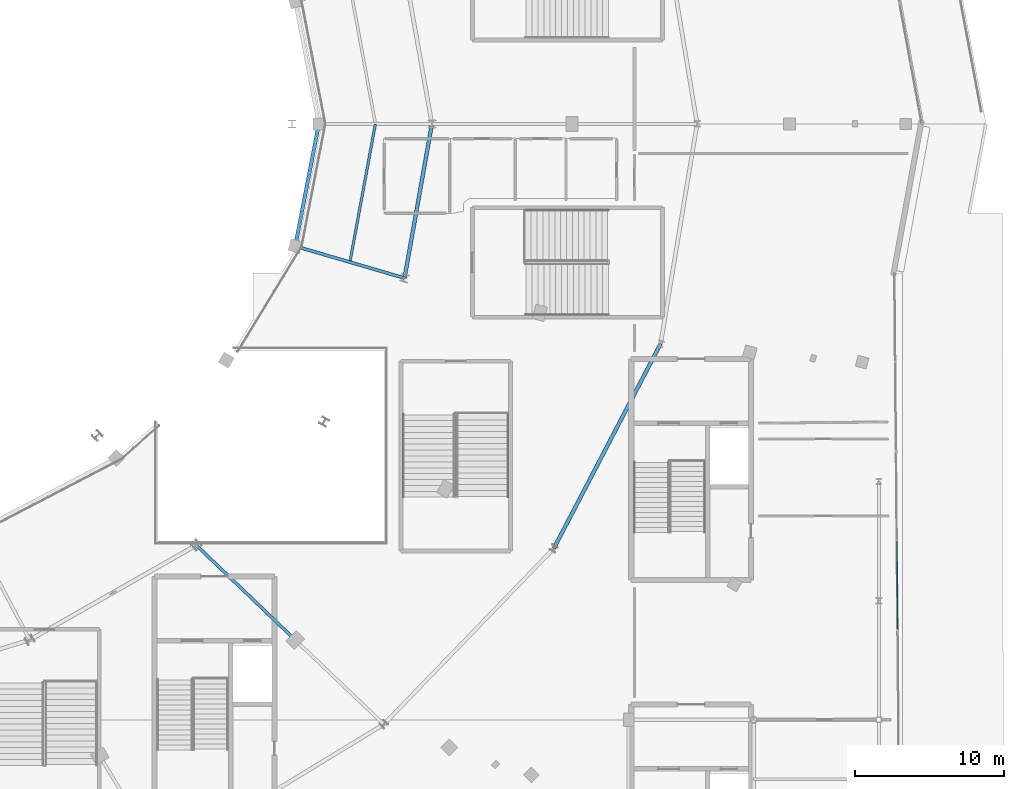
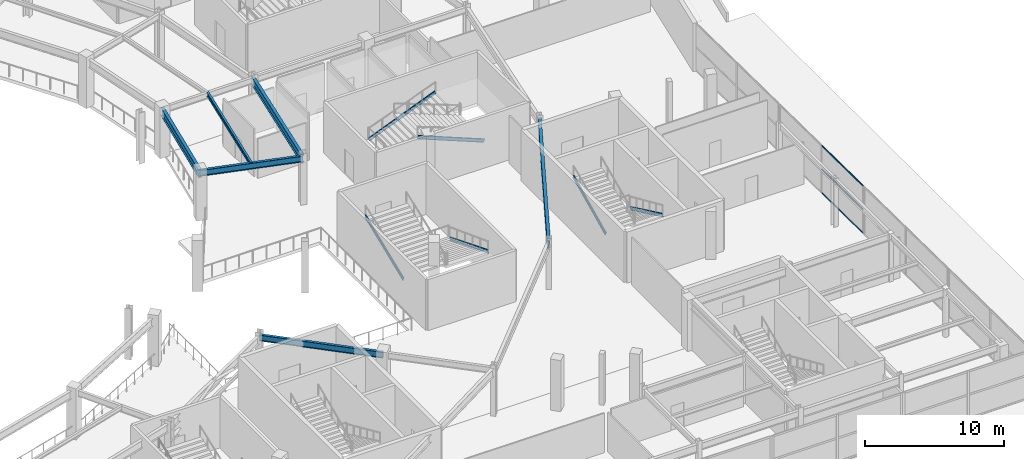
# One storey, part 49 of 107: 9 members, 6 beams, 1 element without a shape of its own.
"""IFC4 building model written with IfcOpenShell, lengths in metres."""

from ifc_helpers import new_model, si_unit, direction, frame, origin, origin_2d, place, context, subcontext, project, spatial, hollow_rectangle, i_section, extrude, material, layer, layer_set, material_profile, profile_set, type_object, element, aggregate, save


model = new_model("IFC4")

# Units and contexts
model_context = context("Model", 3, precision=1e-05, world=origin(), true_north=direction((0.0, 1.0)))
body_context = subcontext(model_context, "Body", "Model", "MODEL_VIEW")
ifc_project = project(units=[si_unit("LENGTHUNIT", "METRE"), si_unit("AREAUNIT", "SQUARE_METRE"), si_unit("VOLUMEUNIT", "CUBIC_METRE"), si_unit("PLANEANGLEUNIT", "RADIAN"), si_unit("MASSUNIT", "GRAM", prefix="KILO")], contexts=[model_context])

# Site, building, storey
site_placement = place(None, origin())
site = spatial("IfcSite", under=ifc_project, at=site_placement, CompositionType="ELEMENT")
building_placement = place(site_placement, origin())
building = spatial("IfcBuilding", under=site, at=building_placement, Name="Kalgoora Escarpment Arena", CompositionType="ELEMENT")
storey_placement = place(building_placement, frame((0.0, 0.0, 5.39990234375)))
storey = spatial("IfcBuildingStorey", under=building, at=storey_placement, Name="L01", CompositionType="ELEMENT", Elevation=5.39990234375)

# Beams
ifc_material_1 = material(Name="Structural steel AS/NZS 3679 (300 MPa)", Category="steel")
ifc_material_profile_1 = material_profile(ifc_material_1, i_section(OverallWidth=0.1708984375, OverallDepth=0.35205078125, WebThickness=0.0068359375, FlangeThickness=0.009765625, at=origin_2d()))
ifc_profile_set_1 = profile_set([ifc_material_profile_1], Name="Structural steel AS/NZS 3679 (300 MPa)")
beam_type_1 = type_object("IfcBeamType", Name="BM-BEAM-360UB44.7", PredefinedType="BEAM", material=ifc_profile_set_1)
beam_1_placement = place(storey_placement, frame((140.894287109375, 54.71875, 4.024169921875), z_axis=(0.181263825147, 0.983434505035, 0.0), x_axis=(-0.983434505035, 0.181263825147, 0.0)))
element("IfcBeam", 1, at=beam_1_placement, inside=storey, type_object=beam_type_1, Name="L01 Concourse secondary ring beam 360UB44.7", PredefinedType="BEAM", context=body_context, shape_type="SweptSolid", body=[
    extrude(i_section(OverallWidth=0.1708984375, OverallDepth=0.35205078125, WebThickness=0.0068359375, FlangeThickness=0.009765625, at=origin_2d()), origin(), (0.0, 0.0, 1.0), 9.4375),
])
ifc_material_2 = material(Name="Structural steel AS/NZS 3679 (300 MPa)", Category="steel")
ifc_material_profile_2 = material_profile(ifc_material_2, i_section(OverallWidth=0.208984375, OverallDepth=0.532958984375, WebThickness=0.01025390625, FlangeThickness=0.015625, at=origin_2d()))
ifc_profile_set_2 = profile_set([ifc_material_profile_2], Name="Structural steel AS/NZS 3679 (300 MPa)")
beam_type_2 = type_object("IfcBeamType", Name="BM-GIRDER-530UB92.4", PredefinedType="USERDEFINED", material=ifc_profile_set_2)
beam_2_placement = place(storey_placement, frame((130.583740234375, 35.7158203125, 3.93359375), z_axis=(0.722313931554, -0.691565314546, 0.0), x_axis=(0.691565314546, 0.722313931554, 0.0)))
element("IfcBeam", 2, at=beam_2_placement, inside=storey, type_object=beam_type_2, Name="L01 Radial concourse girder 530UB92.4", ObjectType="GIRDER", PredefinedType="USERDEFINED", context=body_context, shape_type="SweptSolid", body=[
    extrude(i_section(OverallWidth=0.208984375, OverallDepth=0.532958984375, WebThickness=0.01025390625, FlangeThickness=0.015625, at=origin_2d()), origin(), (0.0, 0.0, 1.0), 9.202392578125),
])
beam_3_placement = place(storey_placement, frame((137.228515625, 55.790283203125, 3.93359375), z_axis=(0.959834445675, -0.280566991813, 0.0), x_axis=(0.280566991813, 0.959834445675, 0.0)))
element("IfcBeam", 3, at=beam_3_placement, inside=storey, type_object=beam_type_2, Name="L01 Radial concourse girder 530UB92.4", ObjectType="GIRDER", PredefinedType="USERDEFINED", context=body_context, shape_type="SweptSolid", body=[
    extrude(i_section(OverallWidth=0.208984375, OverallDepth=0.532958984375, WebThickness=0.01025390625, FlangeThickness=0.015625, at=origin_2d()), origin(), (0.0, 0.0, 1.0), 7.638427734375),
])
ifc_material_3 = material(Name="Structural steel AS/NZS 3679 (300 MPa)", Category="steel")
ifc_material_profile_3 = material_profile(ifc_material_3, i_section(OverallWidth=0.25, OverallDepth=0.699951171875, WebThickness=0.010009765625, FlangeThickness=0.02001953125, at=origin_2d()))
ifc_profile_set_3 = profile_set([ifc_material_profile_3], Name="Structural steel AS/NZS 3679 (300 MPa)")
beam_type_3 = type_object("IfcBeamType", Name="BM-GIRDER-700WB130", PredefinedType="USERDEFINED", material=ifc_profile_set_3)
beam_4_placement = place(storey_placement, frame((137.228515625, 55.790283203125, 3.85009765625), z_axis=(0.189164721843, 0.981945369158, 0.0), x_axis=(-0.981945369158, 0.189164721843, 0.0)))
element("IfcBeam", 4, at=beam_4_placement, inside=storey, type_object=beam_type_3, Name="L01 Circumferential concourse girder RMID 700WB130", ObjectType="GIRDER", PredefinedType="USERDEFINED", context=body_context, shape_type="SweptSolid", body=[
    extrude(i_section(OverallWidth=0.25, OverallDepth=0.699951171875, WebThickness=0.010009765625, FlangeThickness=0.02001953125, at=origin_2d()), origin(), (0.0, 0.0, 1.0), 8.360595703125),
])
beam_5_placement = place(storey_placement, frame((144.56005859375, 53.647216796875, 3.85009765625), z_axis=(0.174973315738, 0.984573175939, 0.0), x_axis=(-0.984573175939, 0.174973315738, 0.0)))
element("IfcBeam", 5, at=beam_5_placement, inside=storey, type_object=beam_type_3, Name="L01 Circumferential concourse girder RMAIN 700WB130", ObjectType="GIRDER", PredefinedType="USERDEFINED", context=body_context, shape_type="SweptSolid", body=[
    extrude(i_section(OverallWidth=0.25, OverallDepth=0.699951171875, WebThickness=0.010009765625, FlangeThickness=0.02001953125, at=origin_2d()), origin(), (0.0, 0.0, 1.0), 10.514892578125),
])
ifc_material_4 = material(Name="Structural steel AS/NZS 3679 (300 MPa)", Category="steel")
ifc_material_profile_4 = material_profile(ifc_material_4, i_section(OverallWidth=0.25, OverallDepth=0.699951171875, WebThickness=0.010009765625, FlangeThickness=0.02001953125, at=origin_2d()))
ifc_profile_set_4 = profile_set([ifc_material_profile_4], Name="Structural steel AS/NZS 3679 (300 MPa)")
beam_type_4 = type_object("IfcBeamType", Name="BM-SPANDREL-700WB130", PredefinedType="SPANDREL", material=ifc_profile_set_4)
beam_6_placement = place(storey_placement, frame((154.58056640625, 35.5, 3.85009765625), z_axis=(0.462583225327, 0.886575862319, 0.0), x_axis=(-0.886575862319, 0.462583225327, 0.0)))
element("IfcBeam", 6, at=beam_6_placement, inside=storey, type_object=beam_type_4, Name="L01 Circumferential concourse girder RCONC2 700WB130", PredefinedType="SPANDREL", context=body_context, shape_type="SweptSolid", body=[
    extrude(i_section(OverallWidth=0.25, OverallDepth=0.699951171875, WebThickness=0.010009765625, FlangeThickness=0.02001953125, at=origin_2d()), origin(), (0.0, 0.0, 1.0), 15.506103515625),
])

# Curtain wall, members
ifc_material_5 = material(Name=" Champagne anodised aluminium & double-glazed low-E", Category="aluminium")
ifc_layer = layer(ifc_material_5, 0.166015625)
ifc_layer_set = layer_set([ifc_layer], Name="CW-UNIT-19")
curtain_wall_type = type_object("IfcCurtainWallType", Name="CW-UNIT-19", PredefinedType="NOTDEFINED", material=ifc_layer_set)
curtain_wall_placement = place(storey_placement, origin())
curtain_wall = element("IfcCurtainWall", 7, at=curtain_wall_placement, inside=storey, type_object=curtain_wall_type, Name="L01 unitised facade curtain wall 038", PredefinedType="NOTDEFINED")
ifc_material_6 = material(Name="Anodised aluminium 6063-T6", Category="aluminium")
ifc_material_profile_5 = material_profile(ifc_material_6, hollow_rectangle(XDim=0.054931640625, YDim=0.1201171875, WallThickness=0.003173828125, at=origin_2d()))
ifc_profile_set_5 = profile_set([ifc_material_profile_5], Name="Anodised aluminium 6063-T6")
member_type_1 = type_object("IfcMemberType", Name="MEM-CW-TRAN-120", PredefinedType="USERDEFINED", material=ifc_profile_set_5)
member_1_placement = place(storey_placement, frame((177.61181640625, 35.968994140625, 0.047607421875), z_axis=(0.008915197908, -0.999960258833, 0.0), x_axis=(0.999960258833, 0.008915197908, 0.0)))
member_1 = element("IfcMember", 8, at=member_1_placement, type_object=member_type_1, Name="CW-19 transom 2.1", ObjectType="TRANSOM", PredefinedType="USERDEFINED", context=body_context, shape_type="SweptSolid", body=[
    extrude(hollow_rectangle(XDim=0.054931640625, YDim=0.1201171875, WallThickness=0.003173828125, at=origin_2d()), origin(), (0.0, 0.0, 1.0), 5.8603515625),
])
member_2_placement = place(storey_placement, frame((177.61181640625, 35.968994140625, 2.130126953125), z_axis=(0.008915197908, -0.999960258833, 0.0), x_axis=(0.999960258833, 0.008915197908, 0.0)))
member_2 = element("IfcMember", 9, at=member_2_placement, type_object=member_type_1, Name="CW-19 transom 2.2", ObjectType="TRANSOM", PredefinedType="USERDEFINED", context=body_context, shape_type="SweptSolid", body=[
    extrude(hollow_rectangle(XDim=0.054931640625, YDim=0.1201171875, WallThickness=0.003173828125, at=origin_2d()), origin(), (0.0, 0.0, 1.0), 5.8603515625),
])
member_3_placement = place(storey_placement, frame((177.61181640625, 35.968994140625, 4.192626953125), z_axis=(0.008915197908, -0.999960258833, 0.0), x_axis=(0.999960258833, 0.008915197908, 0.0)))
member_3 = element("IfcMember", 10, at=member_3_placement, type_object=member_type_1, Name="CW-19 transom 2.3", ObjectType="TRANSOM", PredefinedType="USERDEFINED", context=body_context, shape_type="SweptSolid", body=[
    extrude(hollow_rectangle(XDim=0.054931640625, YDim=0.1201171875, WallThickness=0.003173828125, at=origin_2d()), origin(), (0.0, 0.0, 1.0), 5.8603515625),
])
aggregate(curtain_wall, [member_1, member_2, member_3])

# Members
ifc_material_7 = material(Name="Structural steel AS/NZS 3679 (300 MPa)", Category="steel")
ifc_material_profile_6 = material_profile(ifc_material_7, i_section(OverallWidth=0.090087890625, OverallDepth=0.300048828125, WebThickness=0.008056640625, FlangeThickness=0.01611328125, at=origin_2d()))
ifc_profile_set_6 = profile_set([ifc_material_profile_6], Name="Structural steel AS/NZS 3679 (300 MPa)")
member_type_2 = type_object("IfcMemberType", Name="MEM-STRINGER-PFC", PredefinedType="STRINGER", material=ifc_profile_set_6)
for number, where, z_axis, x_axis, name in (
    (11, (164.72998046875, 41.31005859375, -0.039794921875), (0.0, -0.902682652253, 0.430306901317), (1.0, 0.0, 0.0), "ST07 L01 steel stair stringer 1"),
    (12, (159.969970703125, 36.590087890625, 2.210205078125), (0.0, 0.902682652253, 0.430306901317), (-1.0, 0.0, 0.0), "ST07 L01 steel stair stringer 2"),
):
    element("IfcMember", number, at=place(storey_placement, frame(where, z_axis=z_axis, x_axis=x_axis)), inside=storey, type_object=member_type_2, Name=name, PredefinedType="STRINGER", context=body_context, shape_type="SweptSolid", body=[
        extrude(i_section(OverallWidth=0.090087890625, OverallDepth=0.300048828125, WebThickness=0.008056640625, FlangeThickness=0.01611328125, at=origin_2d()), origin(), (0.0, 0.0, 1.0), 5.228759765625),
    ])
for number, where, z_axis, x_axis, name in (
    (13, (152.68994140625, 58.22998046875, -0.039794921875), (0.926975796404, 0.0, 0.375121144273), (0.0, 1.0, 0.0), "ST22 L01 steel stair stringer 1"),
    (14, (158.25, 51.169921875, 2.210205078125), (-0.926975796404, 0.0, 0.375121144273), (0.0, -1.0, 0.0), "ST22 L01 steel stair stringer 2"),
    (15, (151.530029296875, 44.510009765625, -0.039794921875), (0.0, -0.926975796404, 0.375121144273), (1.0, 0.0, 0.0), "ST24 L01 steel stair stringer 1"),
    (16, (144.469970703125, 38.949951171875, 2.210205078125), (0.0, 0.926975796404, 0.375121144273), (-1.0, 0.0, 0.0), "ST24 L01 steel stair stringer 2"),
):
    element("IfcMember", number, at=place(storey_placement, frame(where, z_axis=z_axis, x_axis=x_axis)), inside=storey, type_object=member_type_2, Name=name, PredefinedType="STRINGER", context=body_context, shape_type="SweptSolid", body=[
        extrude(i_section(OverallWidth=0.090087890625, OverallDepth=0.300048828125, WebThickness=0.008056640625, FlangeThickness=0.01611328125, at=origin_2d()), origin(), (0.0, 0.0, 1.0), 5.998046875),
    ])

save(model, "model.ifc")
